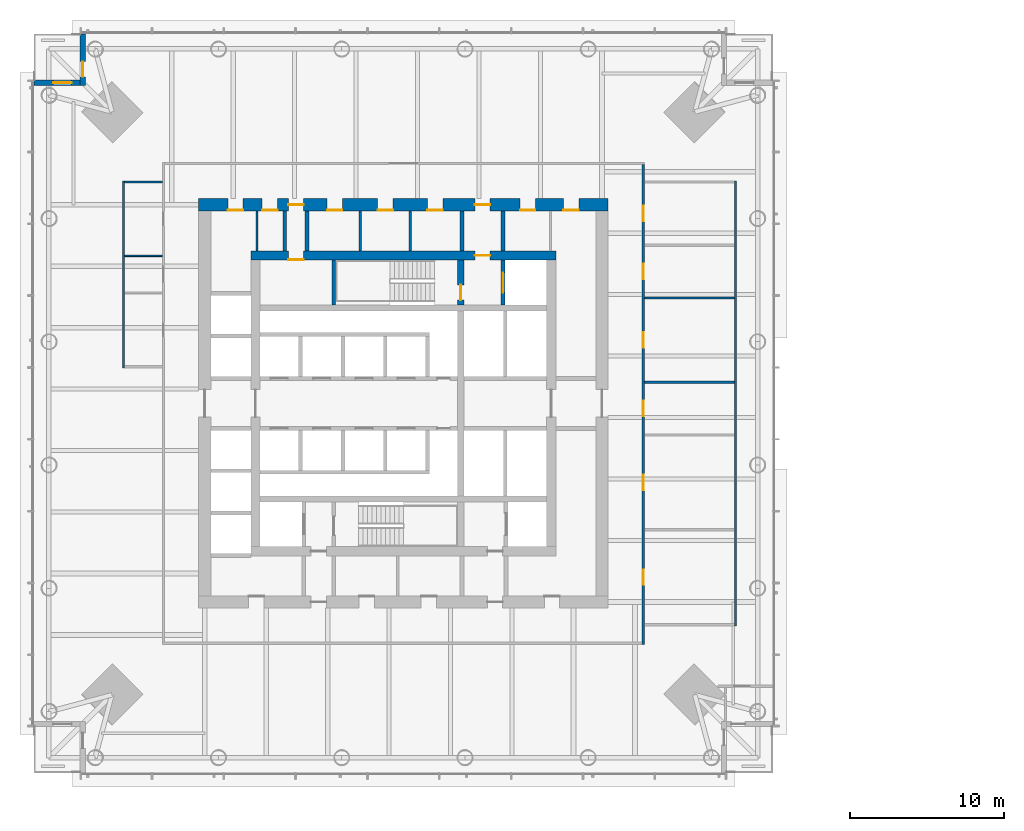
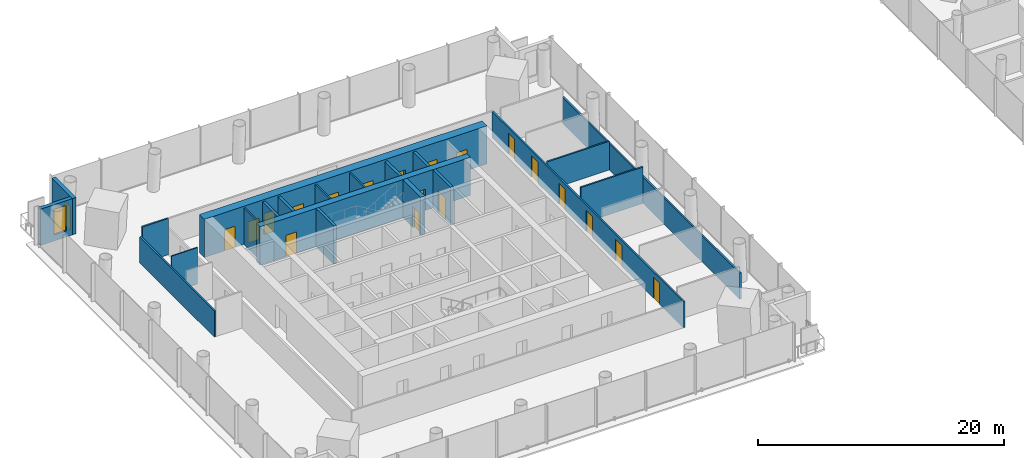
# One storey, part 11 of 26: 21 walls, 20 doors, 1 window, 21 openings.
"""IFC4 building model written with IfcOpenShell, lengths in metres."""

from ifc_helpers import new_model, si_unit, direction, frame, frame_2d, origin, place, context, subcontext, project, spatial, rectangle, extrude, material, layer, layer_set, type_object, element, fill, save


model = new_model("IFC4")

# Units and contexts
model_context = context("Model", 3, precision=1e-05, world=origin(), true_north=direction((0.0, 1.0)))
body_context = subcontext(model_context, "Body", "Model", "MODEL_VIEW")
ifc_project = project(units=[si_unit("LENGTHUNIT", "METRE"), si_unit("AREAUNIT", "SQUARE_METRE"), si_unit("VOLUMEUNIT", "CUBIC_METRE"), si_unit("PLANEANGLEUNIT", "RADIAN"), si_unit("MASSUNIT", "GRAM", prefix="KILO")], contexts=[model_context])

# Site, building, storey
site_placement = place(None, origin())
site = spatial("IfcSite", under=ifc_project, at=site_placement, CompositionType="ELEMENT")
building_placement = place(site_placement, origin())
building = spatial("IfcBuilding", under=site, at=building_placement, Name="Ostroluk Exchange", CompositionType="ELEMENT")
storey_placement = place(building_placement, frame((0.0, 0.0, 51.39990234375)))
storey = spatial("IfcBuildingStorey", under=building, at=storey_placement, Name="L12", CompositionType="ELEMENT", Elevation=51.39990234375)

# Walls
ifc_material_1 = material(Name="Concrete blockwork", Category="masonry")
ifc_layer_1 = layer(ifc_material_1, 0.10009765625)
ifc_layer_set_1 = layer_set([ifc_layer_1], Name="Blockwork WC wall 100")
wall_type_1 = type_object("IfcWallType", Name="Blockwork WC wall 100", PredefinedType="SOLIDWALL", material=ifc_layer_set_1)
wall_1_placement = place(storey_placement, frame((29.35009765625, 55.574951171875, 0.0), z_axis=(0.0, 0.0, 1.0), x_axis=(-1.0, 0.0, 0.0)))
element("IfcWall", 1, at=wall_1_placement, inside=storey, type_object=wall_type_1, Name="Blockwork WC wall", PredefinedType="SOLIDWALL", context=body_context, shape_type="SweptSolid", body=[
    extrude(rectangle(XDim=2.4501953125, YDim=0.10009765625, at=frame_2d((1.22509765625, 0.0))), origin(), (0.0, 0.0, 1.0), 3.6201171875),
])
ifc_material_2 = material(Name="Concrete blockwork", Category="masonry")
ifc_layer_2 = layer(ifc_material_2, 0.14990234375)
ifc_layer_set_2 = layer_set([ifc_layer_2], Name="Blockwork plant room wall 150")
wall_type_2 = type_object("IfcWallType", Name="Blockwork plant room wall 150", PredefinedType="SOLIDWALL", material=ifc_layer_set_2)
for number, where, z_axis, x_axis, name in (
    (2, (35.491943359375, 55.89990234375, 0.0), (0.0, 0.0, 1.0), (0.0, 1.0, 0.0), "Core room wall"),
    (3, (42.208740234375, 55.89990234375, 0.0), (0.0, 0.0, 1.0), (0.0, 1.0, 0.0), "Core room wall"),
    (4, (45.4443359375, 55.89990234375, 0.0), (0.0, 0.0, 1.0), (0.0, 1.0, 0.0), "Core room wall"),
):
    element("IfcWall", number, at=place(storey_placement, frame(where, z_axis=z_axis, x_axis=x_axis)), inside=storey, type_object=wall_type_2, Name=name, PredefinedType="SOLIDWALL", context=body_context, shape_type="SweptSolid", body=[
        extrude(rectangle(XDim=2.60009765625, YDim=0.14990234375, at=frame_2d((1.300048828125, 0.0))), origin(), (0.0, 0.0, 1.0), 3.6201171875),
    ])
ifc_material_3 = material(Name="Concrete blockwork", Category="masonry")
ifc_layer_3 = layer(ifc_material_3, 0.25)
ifc_layer_set_3 = layer_set([ifc_layer_3], Name="Blockwork stair enclosure wall 250")
wall_type_3 = type_object("IfcWallType", Name="Blockwork stair enclosure wall 250", PredefinedType="SOLIDWALL", material=ifc_layer_set_3)
for number, where, z_axis, x_axis, name in (
    (5, (48.804931640625, 55.89990234375, 0.0), (0.0, 0.0, 1.0), (0.0, 1.0, 0.0), "Fire lobby enclosure wall"),
    (6, (51.47509765625, 55.89990234375, 0.0), (0.0, 0.0, 1.0), (0.0, 1.0, 0.0), "Fire lobby enclosure wall"),
    (7, (37.300048828125, 55.89990234375, 0.0), (0.0, 0.0, 1.0), (0.0, 1.0, 0.0), "Core corridor wall"),
    (8, (38.75, 55.89990234375, 0.0), (0.0, 0.0, 1.0), (0.0, 1.0, 0.0), "Core corridor wall"),
):
    element("IfcWall", number, at=place(storey_placement, frame(where, z_axis=z_axis, x_axis=x_axis)), inside=storey, type_object=wall_type_3, Name=name, PredefinedType="SOLIDWALL", context=body_context, shape_type="SweptSolid", body=[
        extrude(rectangle(XDim=2.60009765625, YDim=0.25, at=frame_2d((1.300048828125, 0.0))), origin(), (0.0, 0.0, 1.0), 3.6201171875),
    ])

# Wall, opening, door
ifc_material_4 = material(Name="Concrete C50/60", Category="concrete")
ifc_layer_4 = layer(ifc_material_4, 0.39990234375)
ifc_layer_set_4 = layer_set([ifc_layer_4], Name="Core cross wall 400 C50/60")
wall_type_4 = type_object("IfcWallType", Name="Core cross wall 400 C50/60", PredefinedType="SHEAR", material=ifc_layer_set_4)
wall_2_placement = place(storey_placement, frame((48.72998046875, 52.39990234375, 0.0), z_axis=(0.0, 0.0, 1.0), x_axis=(0.0, 1.0, 0.0)))
wall_2 = element("IfcWall", 9, at=wall_2_placement, inside=storey, type_object=wall_type_4, Name="T1 core wall YE3", PredefinedType="SHEAR", context=body_context, shape_type="SweptSolid", body=[
    extrude(rectangle(XDim=2.900146484375, YDim=0.39990234375, at=frame_2d((1.4501953125, 0.0))), origin(), (0.0, 0.0, 1.0), 3.800048828125),
])
opening_1_placement = place(wall_2_placement, frame((0.300048828125, 0.0, 0.0)))
opening_1 = element("IfcOpeningElement", 10, at=opening_1_placement, cuts=wall_2, Name="Opening FD60", PredefinedType="OPENING", context=body_context, shape_type="SweptSolid", body=[
    extrude(rectangle(XDim=1.0, YDim=2.10009765625, at=frame_2d((0.5, 1.050048828125))), frame((0.0, 0.2099609375, 0.0), z_axis=(0.0, -1.0, 0.0), x_axis=(1.0, 0.0, 0.0)), (0.0, 0.0, 1.0), 0.419921875),
])
ifc_material_5 = material(Name="Steel", Category="steel")
door_type_1 = type_object("IfcDoorType", Name="Fire door EI 60 1000 x 2100", OperationType="SINGLE_SWING_LEFT", PredefinedType="DOOR", material=ifc_material_5)
door_1_placement = place(opening_1_placement, origin())
door_1 = element("IfcDoor", 11, at=door_1_placement, inside=storey, type_object=door_type_1, Name="Stair T1-S2 door", OperationType="SINGLE_SWING_LEFT", OverallHeight=2.10009765625, OverallWidth=1.0, PredefinedType="DOOR", context=body_context, shape_type="SweptSolid", body=[
    extrude(rectangle(XDim=1.0, YDim=2.10009765625, at=frame_2d((0.5, 1.050048828125))), frame((0.0, 0.02490234375, 0.0), z_axis=(0.0, -1.0, 0.0), x_axis=(1.0, 0.0, 0.0)), (0.0, 0.0, 1.0), 0.050048828125),
])
fill(opening_1, door_1)

# Wall
ifc_material_6 = material(Name="Concrete C40/50", Category="concrete")
ifc_layer_5 = layer(ifc_material_6, 0.25)
ifc_layer_set_5 = layer_set([ifc_layer_5], Name="Core shaft wall 250")
wall_type_5 = type_object("IfcWallType", Name="Core shaft wall 250", PredefinedType="SHEAR", material=ifc_layer_set_5)
wall_3_placement = place(storey_placement, frame((40.47509765625, 52.39990234375, 0.0), z_axis=(0.0, 0.0, 1.0), x_axis=(0.0, 1.0, 0.0)))
element("IfcWall", 12, at=wall_3_placement, inside=storey, type_object=wall_type_5, Name="Stair shaft wall", PredefinedType="SHEAR", context=body_context, shape_type="SweptSolid", body=[
    extrude(rectangle(XDim=2.900146484375, YDim=0.25, at=frame_2d((1.4501953125, 0.0))), origin(), (0.0, 0.0, 1.0), 3.800048828125),
])

# Wall, opening, door
wall_4_placement = place(storey_placement, frame((51.47509765625, 52.39990234375, 0.0), z_axis=(0.0, 0.0, 1.0), x_axis=(0.0, 1.0, 0.0)))
wall_4 = element("IfcWall", 13, at=wall_4_placement, inside=storey, type_object=wall_type_5, Name="Firefighting lift shaft wall", PredefinedType="SHEAR", context=body_context, shape_type="SweptSolid", body=[
    extrude(rectangle(XDim=2.900146484375, YDim=0.25, at=frame_2d((1.4501953125, 0.0))), origin(), (0.0, 0.0, 1.0), 3.800048828125),
])
opening_2_placement = place(wall_4_placement, frame((0.800048828125, 0.0, 0.0)))
opening_2 = element("IfcOpeningElement", 14, at=opening_2_placement, cuts=wall_4, Name="Opening LD2", PredefinedType="OPENING", context=body_context, shape_type="SweptSolid", body=[
    extrude(rectangle(XDim=1.300048828125, YDim=2.199951171875, at=frame_2d((0.64990234375, 1.10009765625))), frame((0.0, 0.135009765625, 0.0), z_axis=(0.0, -1.0, 0.0), x_axis=(1.0, 0.0, 0.0)), (0.0, 0.0, 1.0), 0.27001953125),
])
ifc_material_7 = material(Name="Stainless steel", Category="steel")
door_type_2 = type_object("IfcDoorType", Name="Lift landing door E 60 1300 x 2200", OperationType="DOUBLE_DOOR_SLIDING", PredefinedType="DOOR", material=ifc_material_7)
door_2_placement = place(opening_2_placement, origin())
door_2 = element("IfcDoor", 15, at=door_2_placement, inside=storey, type_object=door_type_2, Name="Lift FL2 landing door", OperationType="DOUBLE_DOOR_SLIDING", OverallHeight=2.199951171875, OverallWidth=1.300048828125, PredefinedType="DOOR", context=body_context, shape_type="SweptSolid", body=[
    extrude(rectangle(XDim=1.300048828125, YDim=2.199951171875, at=frame_2d((0.64990234375, 1.10009765625))), frame((0.0, 0.02490234375, 0.0), z_axis=(0.0, -1.0, 0.0), x_axis=(1.0, 0.0, 0.0)), (0.0, 0.0, 1.0), 0.050048828125),
])
fill(opening_2, door_2)

# Wall, openings, doors
ifc_material_8 = material(Name="Concrete C50/60", Category="concrete")
ifc_layer_6 = layer(ifc_material_8, 0.60009765625)
ifc_layer_set_6 = layer_set([ifc_layer_6], Name="Core wall 600 C50/60")
wall_type_6 = type_object("IfcWallType", Name="Core wall 600 C50/60", PredefinedType="SHEAR", material=ifc_layer_set_6)
wall_5_placement = place(storey_placement, frame((35.10009765625, 55.60009765625, 0.0), z_axis=(0.0, 0.0, 1.0), x_axis=(1.0, 0.0, 0.0)))
wall_5 = element("IfcWall", 16, at=wall_5_placement, inside=storey, type_object=wall_type_6, Name="T1 core wall N", PredefinedType="SHEAR", context=body_context, shape_type="SweptSolid", body=[
    extrude(rectangle(XDim=19.7998046875, YDim=0.60009765625, at=frame_2d((9.89990234375, 0.0))), origin(), (0.0, 0.0, 1.0), 3.800048828125),
])
opening_3_placement = place(wall_5_placement, frame((14.5400390625, 0.0, 0.0)))
opening_3 = element("IfcOpeningElement", 17, at=opening_3_placement, cuts=wall_5, Name="Opening FD60", PredefinedType="OPENING", context=body_context, shape_type="SweptSolid", body=[
    extrude(rectangle(XDim=1.0, YDim=2.10009765625, at=frame_2d((0.5, 1.050048828125))), frame((0.0, 0.31005859375, 0.0), z_axis=(0.0, -1.0, 0.0), x_axis=(1.0, 0.0, 0.0)), (0.0, 0.0, 1.0), 0.6201171875),
])
opening_4_placement = place(wall_5_placement, frame((2.425048828125, 0.0, 0.0)))
opening_4 = element("IfcOpeningElement", 18, at=opening_4_placement, cuts=wall_5, Name="Opening FD60", PredefinedType="OPENING", context=body_context, shape_type="SweptSolid", body=[
    extrude(rectangle(XDim=1.0, YDim=2.10009765625, at=frame_2d((0.5, 1.050048828125))), frame((0.0, 0.31005859375, 0.0), z_axis=(0.0, -1.0, 0.0), x_axis=(1.0, 0.0, 0.0)), (0.0, 0.0, 1.0), 0.6201171875),
])
door_3_placement = place(opening_3_placement, origin())
door_3 = element("IfcDoor", 19, at=door_3_placement, inside=storey, type_object=door_type_1, Name="Firefighting lobby door", OperationType="SINGLE_SWING_RIGHT", OverallHeight=2.10009765625, OverallWidth=1.0, PredefinedType="DOOR", context=body_context, shape_type="SweptSolid", body=[
    extrude(rectangle(XDim=1.0, YDim=2.10009765625, at=frame_2d((0.5, 1.050048828125))), frame((0.0, 0.02490234375, 0.0), z_axis=(0.0, -1.0, 0.0), x_axis=(1.0, 0.0, 0.0)), (0.0, 0.0, 1.0), 0.050048828125),
])
fill(opening_3, door_3)
door_4_placement = place(opening_4_placement, origin())
door_4 = element("IfcDoor", 20, at=door_4_placement, inside=storey, type_object=door_type_1, Name="Tea point door", OperationType="SINGLE_SWING_LEFT", OverallHeight=2.10009765625, OverallWidth=1.0, PredefinedType="DOOR", context=body_context, shape_type="SweptSolid", body=[
    extrude(rectangle(XDim=1.0, YDim=2.10009765625, at=frame_2d((0.5, 1.050048828125))), frame((0.0, -0.23974609375, 0.0), z_axis=(0.0, -1.0, 0.0), x_axis=(1.0, 0.0, 0.0)), (0.0, 0.0, 1.0), 0.050048828125),
])
fill(opening_4, door_4)

ifc_material_9 = material(Name="Concrete C50/60", Category="concrete")
ifc_layer_7 = layer(ifc_material_9, 0.800048828125)
ifc_layer_set_7 = layer_set([ifc_layer_7], Name="Core wall 800 C50/60")
wall_type_7 = type_object("IfcWallType", Name="Core wall 800 C50/60", PredefinedType="SHEAR", material=ifc_layer_set_7)
wall_6_placement = place(storey_placement, frame((31.699951171875, 58.89990234375, 0.0), z_axis=(0.0, 0.0, 1.0), x_axis=(1.0, 0.0, 0.0)))
wall_6 = element("IfcWall", 21, at=wall_6_placement, inside=storey, type_object=wall_type_7, Name="T1 core wall RN", PredefinedType="SHEAR", context=body_context, shape_type="SweptSolid", body=[
    extrude(rectangle(XDim=26.60009765625, YDim=0.800048828125, at=frame_2d((13.300048828125, 0.0))), origin(), (0.0, 0.0, 1.0), 3.800048828125),
])
opening_5_placement = place(wall_6_placement, frame((17.93994140625, 0.0, 0.0)))
opening_5 = element("IfcOpeningElement", 22, at=opening_5_placement, cuts=wall_6, Name="Opening FD60", PredefinedType="OPENING", context=body_context, shape_type="SweptSolid", body=[
    extrude(rectangle(XDim=1.0, YDim=2.10009765625, at=frame_2d((0.5, 1.050048828125))), frame((0.0, 0.409912109375, 0.0), z_axis=(0.0, -1.0, 0.0), x_axis=(1.0, 0.0, 0.0)), (0.0, 0.0, 1.0), 0.820068359375),
])
opening_6_placement = place(wall_6_placement, frame((5.824951171875, 0.0, 0.0)))
opening_6 = element("IfcOpeningElement", 23, at=opening_6_placement, cuts=wall_6, Name="Opening FD60", PredefinedType="OPENING", context=body_context, shape_type="SweptSolid", body=[
    extrude(rectangle(XDim=1.0, YDim=2.10009765625, at=frame_2d((0.5, 1.050048828125))), frame((0.0, 0.409912109375, 0.0), z_axis=(0.0, -1.0, 0.0), x_axis=(1.0, 0.0, 0.0)), (0.0, 0.0, 1.0), 0.820068359375),
])
opening_7_placement = place(wall_6_placement, frame((1.89990234375, 0.0, 0.0)))
opening_7 = element("IfcOpeningElement", 24, at=opening_7_placement, cuts=wall_6, Name="Opening FD60", PredefinedType="OPENING", context=body_context, shape_type="SweptSolid", body=[
    extrude(rectangle(XDim=1.0, YDim=2.10009765625, at=frame_2d((0.5, 1.050048828125))), frame((0.0, 0.409912109375, 0.0), z_axis=(0.0, -1.0, 0.0), x_axis=(1.0, 0.0, 0.0)), (0.0, 0.0, 1.0), 0.820068359375),
])
opening_8_placement = place(wall_6_placement, frame((4.133544921875, 0.0, 0.0)))
opening_8 = element("IfcOpeningElement", 25, at=opening_8_placement, cuts=wall_6, Name="Opening FD60", PredefinedType="OPENING", context=body_context, shape_type="SweptSolid", body=[
    extrude(rectangle(XDim=1.0, YDim=2.10009765625, at=frame_2d((0.5, 1.050048828125))), frame((0.0, 0.409912109375, 0.0), z_axis=(0.0, -1.0, 0.0), x_axis=(1.0, 0.0, 0.0)), (0.0, 0.0, 1.0), 0.820068359375),
])
opening_9_placement = place(wall_6_placement, frame((8.341796875, 0.0, 0.0)))
opening_9 = element("IfcOpeningElement", 26, at=opening_9_placement, cuts=wall_6, Name="Opening FD60", PredefinedType="OPENING", context=body_context, shape_type="SweptSolid", body=[
    extrude(rectangle(XDim=1.0, YDim=2.10009765625, at=frame_2d((0.5, 1.050048828125))), frame((0.0, 0.409912109375, 0.0), z_axis=(0.0, -1.0, 0.0), x_axis=(1.0, 0.0, 0.0)), (0.0, 0.0, 1.0), 0.820068359375),
])
opening_10_placement = place(wall_6_placement, frame((11.62646484375, 0.0, 0.0)))
opening_10 = element("IfcOpeningElement", 27, at=opening_10_placement, cuts=wall_6, Name="Opening FD60", PredefinedType="OPENING", context=body_context, shape_type="SweptSolid", body=[
    extrude(rectangle(XDim=1.0, YDim=2.10009765625, at=frame_2d((0.5, 1.050048828125))), frame((0.0, 0.409912109375, 0.0), z_axis=(0.0, -1.0, 0.0), x_axis=(1.0, 0.0, 0.0)), (0.0, 0.0, 1.0), 0.820068359375),
])
opening_11_placement = place(wall_6_placement, frame((14.862060546875, 0.0, 0.0)))
opening_11 = element("IfcOpeningElement", 28, at=opening_11_placement, cuts=wall_6, Name="Opening FD60", PredefinedType="OPENING", context=body_context, shape_type="SweptSolid", body=[
    extrude(rectangle(XDim=1.0, YDim=2.10009765625, at=frame_2d((0.5, 1.050048828125))), frame((0.0, 0.409912109375, 0.0), z_axis=(0.0, -1.0, 0.0), x_axis=(1.0, 0.0, 0.0)), (0.0, 0.0, 1.0), 0.820068359375),
])
opening_12_placement = place(wall_6_placement, frame((20.875, 0.0, 0.0)))
opening_12 = element("IfcOpeningElement", 29, at=opening_12_placement, cuts=wall_6, Name="Opening FD60", PredefinedType="OPENING", context=body_context, shape_type="SweptSolid", body=[
    extrude(rectangle(XDim=1.0, YDim=2.10009765625, at=frame_2d((0.5, 1.050048828125))), frame((0.0, 0.409912109375, 0.0), z_axis=(0.0, -1.0, 0.0), x_axis=(1.0, 0.0, 0.0)), (0.0, 0.0, 1.0), 0.820068359375),
])
opening_13_placement = place(wall_6_placement, frame((23.699951171875, 0.0, 0.0)))
opening_13 = element("IfcOpeningElement", 30, at=opening_13_placement, cuts=wall_6, Name="Opening FD60", PredefinedType="OPENING", context=body_context, shape_type="SweptSolid", body=[
    extrude(rectangle(XDim=1.0, YDim=2.10009765625, at=frame_2d((0.5, 1.050048828125))), frame((0.0, 0.409912109375, 0.0), z_axis=(0.0, -1.0, 0.0), x_axis=(1.0, 0.0, 0.0)), (0.0, 0.0, 1.0), 0.820068359375),
])
door_5_placement = place(opening_5_placement, origin())
door_5 = element("IfcDoor", 31, at=door_5_placement, inside=storey, type_object=door_type_1, Name="Firefighting lobby door", OperationType="SINGLE_SWING_RIGHT", OverallHeight=2.10009765625, OverallWidth=1.0, PredefinedType="DOOR", context=body_context, shape_type="SweptSolid", body=[
    extrude(rectangle(XDim=1.0, YDim=2.10009765625, at=frame_2d((0.5, 1.050048828125))), frame((0.0, 0.02490234375, 0.0), z_axis=(0.0, -1.0, 0.0), x_axis=(1.0, 0.0, 0.0)), (0.0, 0.0, 1.0), 0.050048828125),
])
fill(opening_5, door_5)
door_6_placement = place(opening_6_placement, origin())
door_6 = element("IfcDoor", 32, at=door_6_placement, inside=storey, type_object=door_type_1, Name="Core corridor door", OperationType="SINGLE_SWING_LEFT", OverallHeight=2.10009765625, OverallWidth=1.0, PredefinedType="DOOR", context=body_context, shape_type="SweptSolid", body=[
    extrude(rectangle(XDim=1.0, YDim=2.10009765625, at=frame_2d((0.5, 1.050048828125))), frame((0.0, 0.02490234375, 0.0), z_axis=(0.0, -1.0, 0.0), x_axis=(1.0, 0.0, 0.0)), (0.0, 0.0, 1.0), 0.050048828125),
])
fill(opening_6, door_6)
door_7_placement = place(opening_7_placement, origin())
door_7 = element("IfcDoor", 33, at=door_7_placement, inside=storey, type_object=door_type_1, Name="Tenant IT room door", OperationType="SINGLE_SWING_LEFT", OverallHeight=2.10009765625, OverallWidth=1.0, PredefinedType="DOOR", context=body_context, shape_type="SweptSolid", body=[
    extrude(rectangle(XDim=1.0, YDim=2.10009765625, at=frame_2d((0.5, 1.050048828125))), frame((0.0, -0.33984375, 0.0), z_axis=(0.0, -1.0, 0.0), x_axis=(1.0, 0.0, 0.0)), (0.0, 0.0, 1.0), 0.050048828125),
])
fill(opening_7, door_7)
door_8_placement = place(opening_8_placement, origin())
door_8 = element("IfcDoor", 34, at=door_8_placement, inside=storey, type_object=door_type_1, Name="Store door", OperationType="SINGLE_SWING_LEFT", OverallHeight=2.10009765625, OverallWidth=1.0, PredefinedType="DOOR", context=body_context, shape_type="SweptSolid", body=[
    extrude(rectangle(XDim=1.0, YDim=2.10009765625, at=frame_2d((0.5, 1.050048828125))), frame((0.0, -0.33984375, 0.0), z_axis=(0.0, -1.0, 0.0), x_axis=(1.0, 0.0, 0.0)), (0.0, 0.0, 1.0), 0.050048828125),
])
fill(opening_8, door_8)
door_9_placement = place(opening_9_placement, origin())
door_9 = element("IfcDoor", 35, at=door_9_placement, inside=storey, type_object=door_type_1, Name="Print and post room door", OperationType="SINGLE_SWING_LEFT", OverallHeight=2.10009765625, OverallWidth=1.0, PredefinedType="DOOR", context=body_context, shape_type="SweptSolid", body=[
    extrude(rectangle(XDim=1.0, YDim=2.10009765625, at=frame_2d((0.5, 1.050048828125))), frame((0.0, -0.33984375, 0.0), z_axis=(0.0, -1.0, 0.0), x_axis=(1.0, 0.0, 0.0)), (0.0, 0.0, 1.0), 0.050048828125),
])
fill(opening_9, door_9)
door_10_placement = place(opening_10_placement, origin())
door_10 = element("IfcDoor", 36, at=door_10_placement, inside=storey, type_object=door_type_1, Name="Archive door", OperationType="SINGLE_SWING_LEFT", OverallHeight=2.10009765625, OverallWidth=1.0, PredefinedType="DOOR", context=body_context, shape_type="SweptSolid", body=[
    extrude(rectangle(XDim=1.0, YDim=2.10009765625, at=frame_2d((0.5, 1.050048828125))), frame((0.0, -0.33984375, 0.0), z_axis=(0.0, -1.0, 0.0), x_axis=(1.0, 0.0, 0.0)), (0.0, 0.0, 1.0), 0.050048828125),
])
fill(opening_10, door_10)
door_11_placement = place(opening_11_placement, origin())
door_11 = element("IfcDoor", 37, at=door_11_placement, inside=storey, type_object=door_type_1, Name="Tenant IT room door", OperationType="SINGLE_SWING_RIGHT", OverallHeight=2.10009765625, OverallWidth=1.0, PredefinedType="DOOR", context=body_context, shape_type="SweptSolid", body=[
    extrude(rectangle(XDim=1.0, YDim=2.10009765625, at=frame_2d((0.5, 1.050048828125))), frame((0.0, -0.33984375, 0.0), z_axis=(0.0, -1.0, 0.0), x_axis=(1.0, 0.0, 0.0)), (0.0, 0.0, 1.0), 0.050048828125),
])
fill(opening_11, door_11)
door_12_placement = place(opening_12_placement, origin())
door_12 = element("IfcDoor", 38, at=door_12_placement, inside=storey, type_object=door_type_1, Name="First aid room door", OperationType="SINGLE_SWING_RIGHT", OverallHeight=2.10009765625, OverallWidth=1.0, PredefinedType="DOOR", context=body_context, shape_type="SweptSolid", body=[
    extrude(rectangle(XDim=1.0, YDim=2.10009765625, at=frame_2d((0.5, 1.050048828125))), frame((0.0, -0.33984375, 0.0), z_axis=(0.0, -1.0, 0.0), x_axis=(1.0, 0.0, 0.0)), (0.0, 0.0, 1.0), 0.050048828125),
])
fill(opening_12, door_12)
door_13_placement = place(opening_13_placement, origin())
door_13 = element("IfcDoor", 39, at=door_13_placement, inside=storey, type_object=door_type_1, Name="Tea point door", OperationType="SINGLE_SWING_RIGHT", OverallHeight=2.10009765625, OverallWidth=1.0, PredefinedType="DOOR", context=body_context, shape_type="SweptSolid", body=[
    extrude(rectangle(XDim=1.0, YDim=2.10009765625, at=frame_2d((0.5, 1.050048828125))), frame((0.0, -0.33984375, 0.0), z_axis=(0.0, -1.0, 0.0), x_axis=(1.0, 0.0, 0.0)), (0.0, 0.0, 1.0), 0.050048828125),
])
fill(opening_13, door_13)

# Wall, opening, door
ifc_material_10 = material(Name="Limestone", Category="masonry")
ifc_layer_8 = layer(ifc_material_10, 0.35009765625)
ifc_layer_set_8 = layer_set([ifc_layer_8], Name="Limestone facade wall 350")
wall_type_8 = type_object("IfcWallType", Name="Limestone facade wall 350", PredefinedType="SOLIDWALL", material=ifc_layer_set_8)
wall_7_placement = place(storey_placement, frame((24.175048828125, 70.0, 0.0), z_axis=(0.0, 0.0, 1.0), x_axis=(0.0, -1.0, 0.0)))
wall_7 = element("IfcWall", 40, at=wall_7_placement, inside=storey, type_object=wall_type_8, Name="Office tower NW corner wall L12 a", PredefinedType="SOLIDWALL", context=body_context, shape_type="SweptSolid", body=[
    extrude(rectangle(XDim=3.35009765625, YDim=0.35009765625, at=frame_2d((1.675048828125, 0.0))), origin(), (0.0, 0.0, 1.0), 3.6201171875),
])
opening_14_placement = place(wall_7_placement, frame((1.800048828125, 0.0, 0.0)))
opening_14 = element("IfcOpeningElement", 41, at=opening_14_placement, cuts=wall_7, Name="Opening D-B1", PredefinedType="OPENING", context=body_context, shape_type="SweptSolid", body=[
    extrude(rectangle(XDim=1.0, YDim=2.39990234375, at=frame_2d((0.5, 1.199951171875))), frame((0.0, 0.18505859375, 0.0), z_axis=(0.0, -1.0, 0.0), x_axis=(1.0, 0.0, 0.0)), (0.0, 0.0, 1.0), 0.3701171875),
])
ifc_material_11 = material(Name="Bronze framed glazed door", Category="aluminium")
door_type_3 = type_object("IfcDoorType", Name="Balcony door 1000 x 2400", OperationType="SINGLE_SWING_LEFT", PredefinedType="DOOR", material=ifc_material_11)
door_14_placement = place(opening_14_placement, origin())
door_14 = element("IfcDoor", 42, at=door_14_placement, inside=storey, type_object=door_type_3, Name="Office tower NW balcony door L12", OperationType="SINGLE_SWING_RIGHT", OverallHeight=2.39990234375, OverallWidth=1.0, PredefinedType="DOOR", context=body_context, shape_type="SweptSolid", body=[
    extrude(rectangle(XDim=1.0, YDim=2.39990234375, at=frame_2d((0.5, 1.199951171875))), frame((0.0, 0.02490234375, 0.0), z_axis=(0.0, -1.0, 0.0), x_axis=(1.0, 0.0, 0.0)), (0.0, 0.0, 1.0), 0.050048828125),
])
fill(opening_14, door_14)

# Wall, opening, window
wall_8_placement = place(storey_placement, frame((24.0, 66.824951171875, 0.0), z_axis=(0.0, 0.0, 1.0), x_axis=(-1.0, 0.0, 0.0)))
wall_8 = element("IfcWall", 43, at=wall_8_placement, inside=storey, type_object=wall_type_8, Name="Office tower NW corner wall L12 b", PredefinedType="SOLIDWALL", context=body_context, shape_type="SweptSolid", body=[
    extrude(rectangle(XDim=3.0, YDim=0.35009765625, at=frame_2d((1.5, 0.0))), origin(), (0.0, 0.0, 1.0), 3.6201171875),
])
opening_15_placement = place(wall_8_placement, frame((0.550048828125, 0.0, 0.60009765625)))
opening_15 = element("IfcOpeningElement", 44, at=opening_15_placement, cuts=wall_8, Name="Opening WN-L1", PredefinedType="OPENING", context=body_context, shape_type="SweptSolid", body=[
    extrude(rectangle(XDim=1.199951171875, YDim=2.550048828125, at=frame_2d((0.60009765625, 1.27490234375))), frame((0.0, 0.18505859375, 0.0), z_axis=(0.0, -1.0, 0.0), x_axis=(1.0, 0.0, 0.0)), (0.0, 0.0, 1.0), 0.3701171875),
])
ifc_material_12 = material(Name="Laminated clear glass", Category="glass")
window_type = type_object("IfcWindowType", Name="Lancet window 1200 x 2550", PartitioningType="SINGLE_PANEL", PredefinedType="WINDOW", material=ifc_material_12)
window_placement = place(opening_15_placement, origin())
window = element("IfcWindow", 45, at=window_placement, inside=storey, type_object=window_type, Name="Office tower NW lancet window L12", OverallHeight=2.550048828125, OverallWidth=1.199951171875, PartitioningType="SINGLE_PANEL", PredefinedType="WINDOW", context=body_context, shape_type="SweptSolid", body=[
    extrude(rectangle(XDim=1.199951171875, YDim=2.550048828125, at=frame_2d((0.60009765625, 1.27490234375))), frame((0.0, 0.030029296875, 0.0), z_axis=(0.0, -1.0, 0.0), x_axis=(1.0, 0.0, 0.0)), (0.0, 0.0, 1.0), 0.06005859375),
])
fill(opening_15, window)

# Walls
ifc_material_13 = material(Name="Gypsum plasterboard partition", Category="gypsum")
ifc_layer_9 = layer(ifc_material_13, 0.14990234375)
ifc_layer_set_9 = layer_set([ifc_layer_9], Name="Plasterboard partition 150")
wall_type_9 = type_object("IfcWallType", Name="Plasterboard partition 150", PredefinedType="PARTITIONING", material=ifc_layer_set_9)
wall_9_placement = place(storey_placement, frame((60.64990234375, 47.369140625, 0.0), z_axis=(0.0, 0.0, 1.0), x_axis=(1.0, 0.0, 0.0)))
element("IfcWall", 46, at=wall_9_placement, inside=storey, type_object=wall_type_9, Name="Partition", PredefinedType="PARTITIONING", context=body_context, shape_type="SweptSolid", body=[
    extrude(rectangle(XDim=5.85009765625, YDim=0.14990234375, at=frame_2d((2.925048828125, 0.0))), origin(), (0.0, 0.0, 1.0), 3.6201171875),
])
wall_10_placement = place(storey_placement, frame((60.64990234375, 52.84521484375, 0.0), z_axis=(0.0, 0.0, 1.0), x_axis=(1.0, 0.0, 0.0)))
element("IfcWall", 47, at=wall_10_placement, inside=storey, type_object=wall_type_9, Name="Partition", PredefinedType="PARTITIONING", context=body_context, shape_type="SweptSolid", body=[
    extrude(rectangle(XDim=5.85009765625, YDim=0.14990234375, at=frame_2d((2.925048828125, 0.0))), origin(), (0.0, 0.0, 1.0), 2.85009765625),
])
wall_11_placement = place(storey_placement, frame((66.574951171875, 31.550048828125, 0.0), z_axis=(0.0, 0.0, 1.0), x_axis=(0.0, 1.0, 0.0)))
element("IfcWall", 48, at=wall_11_placement, inside=storey, type_object=wall_type_9, Name="Partition", PredefinedType="PARTITIONING", context=body_context, shape_type="SweptSolid", body=[
    extrude(rectangle(XDim=28.89990234375, YDim=0.14990234375, at=frame_2d((14.449951171875, 0.0))), origin(), (0.0, 0.0, 1.0), 2.612060546875),
])

# Wall, openings, doors
wall_12_placement = place(storey_placement, frame((60.574951171875, 30.35009765625, 0.0), z_axis=(0.0, 0.0, 1.0), x_axis=(0.0, 1.0, 0.0)))
wall_12 = element("IfcWall", 49, at=wall_12_placement, inside=storey, type_object=wall_type_9, Name="Corridor wall", PredefinedType="PARTITIONING", context=body_context, shape_type="SweptSolid", body=[
    extrude(rectangle(XDim=31.14990234375, YDim=0.14990234375, at=frame_2d((15.574951171875, 0.0))), origin(), (0.0, 0.0, 1.0), 2.612060546875),
])
opening_16_placement = place(wall_12_placement, frame((3.85546875, 0.0, 0.0)))
opening_16 = element("IfcOpeningElement", 50, at=opening_16_placement, cuts=wall_12, Name="Opening D-03", PredefinedType="OPENING", context=body_context, shape_type="SweptSolid", body=[
    extrude(rectangle(XDim=1.0, YDim=2.10009765625, at=frame_2d((0.5, 1.050048828125))), frame((0.0, 0.0849609375, 0.0), z_axis=(0.0, -1.0, 0.0), x_axis=(1.0, 0.0, 0.0)), (0.0, 0.0, 1.0), 0.169921875),
])
opening_17_placement = place(wall_12_placement, frame((10.01611328125, 0.0, 0.0)))
opening_17 = element("IfcOpeningElement", 51, at=opening_17_placement, cuts=wall_12, Name="Opening D-03", PredefinedType="OPENING", context=body_context, shape_type="SweptSolid", body=[
    extrude(rectangle(XDim=1.0, YDim=2.10009765625, at=frame_2d((0.5, 1.050048828125))), frame((0.0, 0.0849609375, 0.0), z_axis=(0.0, -1.0, 0.0), x_axis=(1.0, 0.0, 0.0)), (0.0, 0.0, 1.0), 0.169921875),
])
opening_18_placement = place(wall_12_placement, frame((14.8076171875, 0.0, 0.0)))
opening_18 = element("IfcOpeningElement", 52, at=opening_18_placement, cuts=wall_12, Name="Opening D-03", PredefinedType="OPENING", context=body_context, shape_type="SweptSolid", body=[
    extrude(rectangle(XDim=1.0, YDim=2.10009765625, at=frame_2d((0.5, 1.050048828125))), frame((0.0, 0.0849609375, 0.0), z_axis=(0.0, -1.0, 0.0), x_axis=(1.0, 0.0, 0.0)), (0.0, 0.0, 1.0), 0.169921875),
])
opening_19_placement = place(wall_12_placement, frame((19.257080078125, 0.0, 0.0)))
opening_19 = element("IfcOpeningElement", 53, at=opening_19_placement, cuts=wall_12, Name="Opening D-03", PredefinedType="OPENING", context=body_context, shape_type="SweptSolid", body=[
    extrude(rectangle(XDim=1.0, YDim=2.10009765625, at=frame_2d((0.5, 1.050048828125))), frame((0.0, 0.0849609375, 0.0), z_axis=(0.0, -1.0, 0.0), x_axis=(1.0, 0.0, 0.0)), (0.0, 0.0, 1.0), 0.169921875),
])
opening_20_placement = place(wall_12_placement, frame((23.70654296875, 0.0, 0.0)))
opening_20 = element("IfcOpeningElement", 54, at=opening_20_placement, cuts=wall_12, Name="Opening D-03", PredefinedType="OPENING", context=body_context, shape_type="SweptSolid", body=[
    extrude(rectangle(XDim=1.0, YDim=2.10009765625, at=frame_2d((0.5, 1.050048828125))), frame((0.0, 0.0849609375, 0.0), z_axis=(0.0, -1.0, 0.0), x_axis=(1.0, 0.0, 0.0)), (0.0, 0.0, 1.0), 0.169921875),
])
opening_21_placement = place(wall_12_placement, frame((27.471435546875, 0.0, 0.0)))
opening_21 = element("IfcOpeningElement", 55, at=opening_21_placement, cuts=wall_12, Name="Opening D-03", PredefinedType="OPENING", context=body_context, shape_type="SweptSolid", body=[
    extrude(rectangle(XDim=1.0, YDim=2.10009765625, at=frame_2d((0.5, 1.050048828125))), frame((0.0, 0.0849609375, 0.0), z_axis=(0.0, -1.0, 0.0), x_axis=(1.0, 0.0, 0.0)), (0.0, 0.0, 1.0), 0.169921875),
])
ifc_material_14 = material(Name="Timber", Category="wood")
door_type_4 = type_object("IfcDoorType", Name="Internal door 1000 x 2100", OperationType="SINGLE_SWING_LEFT", PredefinedType="DOOR", material=ifc_material_14)
door_15_placement = place(opening_16_placement, origin())
door_15 = element("IfcDoor", 56, at=door_15_placement, inside=storey, type_object=door_type_4, Name="Meeting room door", OperationType="SINGLE_SWING_LEFT", OverallHeight=2.10009765625, OverallWidth=1.0, PredefinedType="DOOR", context=body_context, shape_type="SweptSolid", body=[
    extrude(rectangle(XDim=1.0, YDim=2.10009765625, at=frame_2d((0.5, 1.050048828125))), frame((0.0, 0.02490234375, 0.0), z_axis=(0.0, -1.0, 0.0), x_axis=(1.0, 0.0, 0.0)), (0.0, 0.0, 1.0), 0.050048828125),
])
fill(opening_16, door_15)
door_16_placement = place(opening_17_placement, origin())
door_16 = element("IfcDoor", 57, at=door_16_placement, inside=storey, type_object=door_type_4, Name="Meeting room door", OperationType="SINGLE_SWING_LEFT", OverallHeight=2.10009765625, OverallWidth=1.0, PredefinedType="DOOR", context=body_context, shape_type="SweptSolid", body=[
    extrude(rectangle(XDim=1.0, YDim=2.10009765625, at=frame_2d((0.5, 1.050048828125))), frame((0.0, 0.02490234375, 0.0), z_axis=(0.0, -1.0, 0.0), x_axis=(1.0, 0.0, 0.0)), (0.0, 0.0, 1.0), 0.050048828125),
])
fill(opening_17, door_16)
door_17_placement = place(opening_18_placement, origin())
door_17 = element("IfcDoor", 58, at=door_17_placement, inside=storey, type_object=door_type_4, Name="Focus room door", OperationType="SINGLE_SWING_LEFT", OverallHeight=2.10009765625, OverallWidth=1.0, PredefinedType="DOOR", context=body_context, shape_type="SweptSolid", body=[
    extrude(rectangle(XDim=1.0, YDim=2.10009765625, at=frame_2d((0.5, 1.050048828125))), frame((0.0, 0.02490234375, 0.0), z_axis=(0.0, -1.0, 0.0), x_axis=(1.0, 0.0, 0.0)), (0.0, 0.0, 1.0), 0.050048828125),
])
fill(opening_18, door_17)
door_18_placement = place(opening_19_placement, origin())
door_18 = element("IfcDoor", 59, at=door_18_placement, inside=storey, type_object=door_type_4, Name="Pantry door", OperationType="SINGLE_SWING_RIGHT", OverallHeight=2.10009765625, OverallWidth=1.0, PredefinedType="DOOR", context=body_context, shape_type="SweptSolid", body=[
    extrude(rectangle(XDim=1.0, YDim=2.10009765625, at=frame_2d((0.5, 1.050048828125))), frame((0.0, 0.02490234375, 0.0), z_axis=(0.0, -1.0, 0.0), x_axis=(1.0, 0.0, 0.0)), (0.0, 0.0, 1.0), 0.050048828125),
])
fill(opening_19, door_18)
door_19_placement = place(opening_20_placement, origin())
door_19 = element("IfcDoor", 60, at=door_19_placement, inside=storey, type_object=door_type_4, Name="Focus room door", OperationType="SINGLE_SWING_RIGHT", OverallHeight=2.10009765625, OverallWidth=1.0, PredefinedType="DOOR", context=body_context, shape_type="SweptSolid", body=[
    extrude(rectangle(XDim=1.0, YDim=2.10009765625, at=frame_2d((0.5, 1.050048828125))), frame((0.0, 0.02490234375, 0.0), z_axis=(0.0, -1.0, 0.0), x_axis=(1.0, 0.0, 0.0)), (0.0, 0.0, 1.0), 0.050048828125),
])
fill(opening_20, door_19)
door_20_placement = place(opening_21_placement, origin())
door_20 = element("IfcDoor", 61, at=door_20_placement, inside=storey, type_object=door_type_4, Name="Print and store room door", OperationType="SINGLE_SWING_RIGHT", OverallHeight=2.10009765625, OverallWidth=1.0, PredefinedType="DOOR", context=body_context, shape_type="SweptSolid", body=[
    extrude(rectangle(XDim=1.0, YDim=2.10009765625, at=frame_2d((0.5, 1.050048828125))), frame((0.0, 0.02490234375, 0.0), z_axis=(0.0, -1.0, 0.0), x_axis=(1.0, 0.0, 0.0)), (0.0, 0.0, 1.0), 0.050048828125),
])
fill(opening_21, door_20)

# Walls
ifc_material_15 = material(Name="Gypsum plasterboard partition, moisture resistant", Category="gypsum")
ifc_layer_10 = layer(ifc_material_15, 0.14990234375)
ifc_layer_set_10 = layer_set([ifc_layer_10], Name="Plasterboard toilet partition 150")
wall_type_10 = type_object("IfcWallType", Name="Plasterboard toilet partition 150", PredefinedType="PARTITIONING", material=ifc_layer_set_10)
wall_13_placement = place(storey_placement, frame((26.824951171875, 60.449951171875, 0.0), z_axis=(0.0, 0.0, 1.0), x_axis=(0.0, -1.0, 0.0)))
element("IfcWall", 62, at=wall_13_placement, inside=storey, type_object=wall_type_10, Name="Toilet partition", PredefinedType="PARTITIONING", context=body_context, shape_type="SweptSolid", body=[
    extrude(rectangle(XDim=12.14990234375, YDim=0.14990234375, at=frame_2d((6.074951171875, 0.0))), origin(), (0.0, 0.0, 1.0), 2.612060546875),
])
wall_14_placement = place(storey_placement, frame((29.35009765625, 60.375, 0.0), z_axis=(0.0, 0.0, 1.0), x_axis=(-1.0, 0.0, 0.0)))
element("IfcWall", 63, at=wall_14_placement, inside=storey, type_object=wall_type_10, Name="Toilet partition", PredefinedType="PARTITIONING", context=body_context, shape_type="SweptSolid", body=[
    extrude(rectangle(XDim=2.4501953125, YDim=0.14990234375, at=frame_2d((1.22509765625, 0.0))), origin(), (0.0, 0.0, 1.0), 3.6201171875),
])

save(model, "model.ifc")
